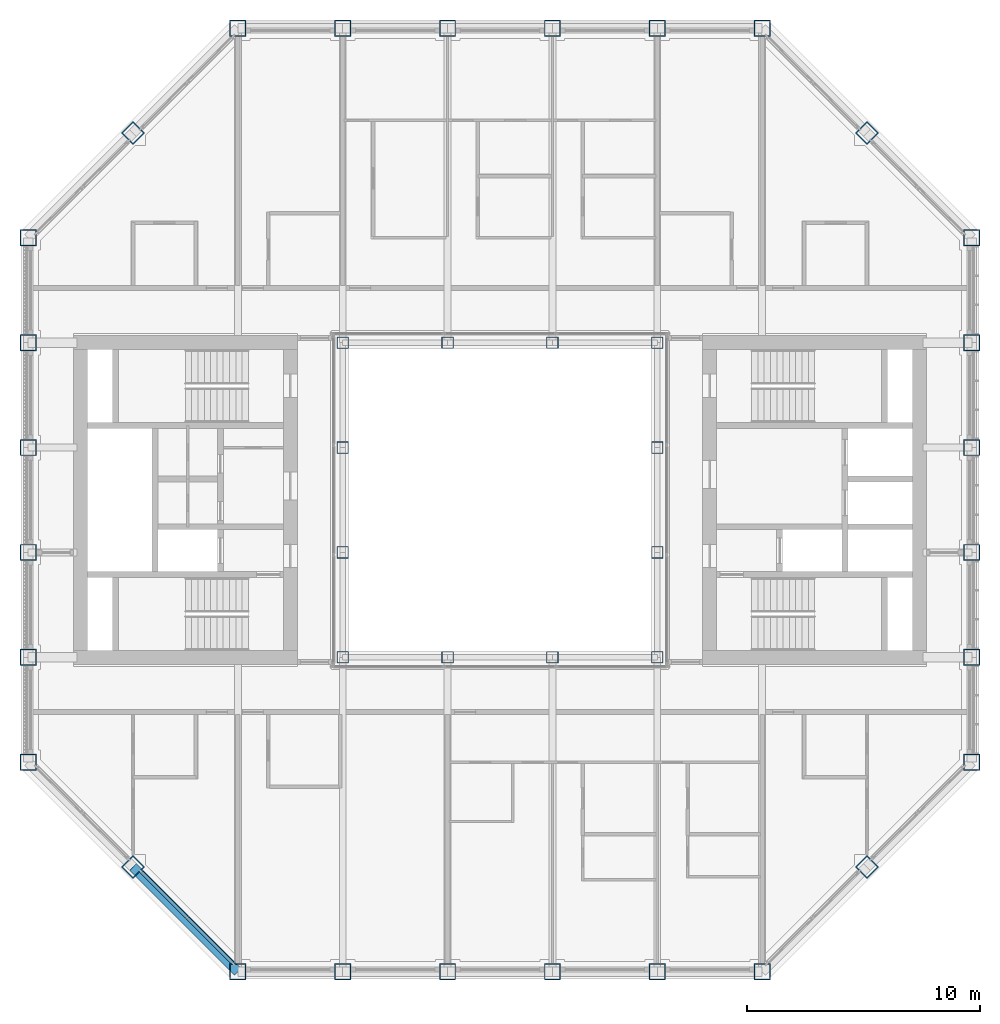
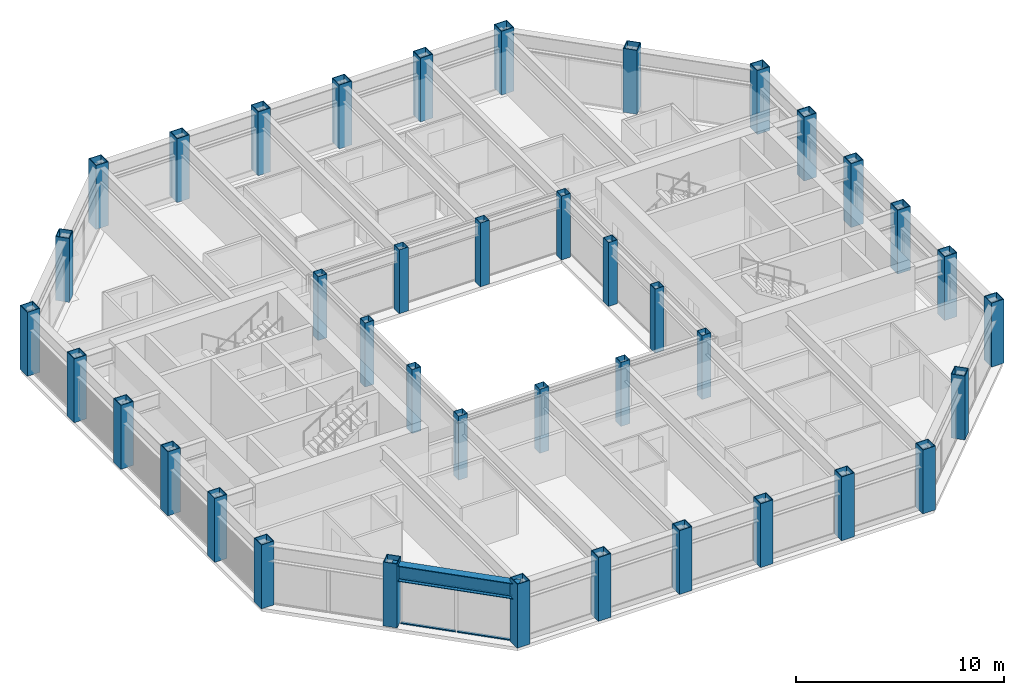
# One storey, part 1 of 17: 40 columns, 4 members, 1 beam, 1 element without a shape of its own.
"""IFC4 building model written with IfcOpenShell, lengths in metres."""

from ifc_helpers import new_model, si_unit, direction, frame, origin, origin_2d, place, context, subcontext, project, spatial, rectangle, hollow_rectangle, i_section, extrude, material, material_profile, profile_set, type_object, element, aggregate, save


model = new_model("IFC4")

# Units and contexts
model_context = context("Model", 3, precision=1e-05, world=origin(), true_north=direction((0.0, 1.0)))
body_context = subcontext(model_context, "Body", "Model", "MODEL_VIEW")
ifc_project = project(units=[si_unit("LENGTHUNIT", "METRE"), si_unit("AREAUNIT", "SQUARE_METRE"), si_unit("VOLUMEUNIT", "CUBIC_METRE"), si_unit("PLANEANGLEUNIT", "RADIAN"), si_unit("MASSUNIT", "GRAM", prefix="KILO")], contexts=[model_context])

# Site, building, storey
site_placement = place(None, origin())
site = spatial("IfcSite", under=ifc_project, at=site_placement, CompositionType="ELEMENT")
building_placement = place(site_placement, origin())
building = spatial("IfcBuilding", under=site, at=building_placement, Name="Msasa Ring Tower", CompositionType="ELEMENT")
storey_placement = place(building_placement, frame((0.0, 0.0, 238.300048828125)))
storey = spatial("IfcBuildingStorey", under=building, at=storey_placement, Name="L62", CompositionType="ELEMENT", Elevation=238.300048828125)

# Columns
ifc_material_1 = material(Name="Steel S355", Category="steel")
ifc_material_profile_1 = material_profile(ifc_material_1, hollow_rectangle(XDim=0.5, YDim=0.5, WallThickness=0.02490234375, at=origin_2d()), Name="BOX 500x500x25")
ifc_profile_set_1 = profile_set([ifc_material_profile_1], Name="Steel S355")
column_type_1 = type_object("IfcColumnType", Name="IC7 BOX 500x500x25", PredefinedType="COLUMN", material=ifc_profile_set_1)
for number, where, z_axis, x_axis, name in (
    (1, (-6.75, -6.75, 0.0), (0.0, 0.0, 1.0), (1.0, 0.0, 0.0), "Inner ring column IR-6.75-6.75 L62"),
    (2, (-6.75, -2.25, 0.0), (0.0, 0.0, 1.0), (1.0, 0.0, 0.0), "Inner ring column IR-6.75-2.25 L62"),
    (3, (-6.75, 2.25, 0.0), (0.0, 0.0, 1.0), (1.0, 0.0, 0.0), "Inner ring column IR-6.75+2.25 L62"),
    (4, (-6.75, 6.75, 0.0), (0.0, 0.0, 1.0), (1.0, 0.0, 0.0), "Inner ring column IR-6.75+6.75 L62"),
    (5, (-2.25, -6.75, 0.0), (0.0, 0.0, 1.0), (1.0, 0.0, 0.0), "Inner ring column IR-2.25-6.75 L62"),
    (6, (-2.25, 6.75, 0.0), (0.0, 0.0, 1.0), (1.0, 0.0, 0.0), "Inner ring column IR-2.25+6.75 L62"),
    (7, (2.25, -6.75, 0.0), (0.0, 0.0, 1.0), (1.0, 0.0, 0.0), "Inner ring column IR+2.25-6.75 L62"),
    (8, (2.25, 6.75, 0.0), (0.0, 0.0, 1.0), (1.0, 0.0, 0.0), "Inner ring column IR+2.25+6.75 L62"),
    (9, (6.75, -6.75, 0.0), (0.0, 0.0, 1.0), (1.0, 0.0, 0.0), "Inner ring column IR+6.75-6.75 L62"),
    (10, (6.75, -2.25, 0.0), (0.0, 0.0, 1.0), (1.0, 0.0, 0.0), "Inner ring column IR+6.75-2.25 L62"),
    (11, (6.75, 2.25, 0.0), (0.0, 0.0, 1.0), (1.0, 0.0, 0.0), "Inner ring column IR+6.75+2.25 L62"),
    (12, (6.75, 6.75, 0.0), (0.0, 0.0, 1.0), (1.0, 0.0, 0.0), "Inner ring column IR+6.75+6.75 L62"),
):
    element("IfcColumn", number, at=place(storey_placement, frame(where, z_axis=z_axis, x_axis=x_axis)), inside=storey, type_object=column_type_1, Name=name, PredefinedType="COLUMN", context=body_context, shape_type="SweptSolid", body=[
        extrude(hollow_rectangle(XDim=0.5, YDim=0.5, WallThickness=0.02490234375, at=origin_2d()), origin(), (0.0, 0.0, 1.0), 3.75),
    ])
ifc_material_2 = material(Name="Steel S355", Category="steel")
ifc_material_profile_2 = material_profile(ifc_material_2, hollow_rectangle(XDim=0.699951171875, YDim=0.699951171875, WallThickness=0.0400390625, at=origin_2d()), Name="BOX 700x700x40")
ifc_profile_set_2 = profile_set([ifc_material_profile_2], Name="Steel S355")
column_type_2 = type_object("IfcColumnType", Name="TC7 BOX 700x700x40", PredefinedType="COLUMN", material=ifc_profile_set_2)
for number, where, z_axis, x_axis, name in (
    (13, (-11.25, -20.25, 0.0), (0.0, 0.0, 1.0), (0.0, 1.0, 0.0), "Tube column S-11.25 L62"),
    (14, (-11.25, 20.25, 0.0), (0.0, 0.0, 1.0), (0.0, 1.0, 0.0), "Tube column N-11.25 L62"),
    (15, (20.25, -11.25, 0.0), (0.0, 0.0, 1.0), (1.0, 0.0, 0.0), "Tube column E-11.25 L62"),
    (16, (-20.25, -11.25, 0.0), (0.0, 0.0, 1.0), (1.0, 0.0, 0.0), "Tube column W-11.25 L62"),
    (17, (-6.75, -20.25, 0.0), (0.0, 0.0, 1.0), (0.0, 1.0, 0.0), "Tube column S-6.75 L62"),
    (18, (-6.75, 20.25, 0.0), (0.0, 0.0, 1.0), (0.0, 1.0, 0.0), "Tube column N-6.75 L62"),
    (19, (20.25, -6.75, 0.0), (0.0, 0.0, 1.0), (1.0, 0.0, 0.0), "Tube column E-6.75 L62"),
    (20, (-20.25, -6.75, 0.0), (0.0, 0.0, 1.0), (1.0, 0.0, 0.0), "Tube column W-6.75 L62"),
    (21, (-2.25, -20.25, 0.0), (0.0, 0.0, 1.0), (0.0, 1.0, 0.0), "Tube column S-2.25 L62"),
    (22, (-2.25, 20.25, 0.0), (0.0, 0.0, 1.0), (0.0, 1.0, 0.0), "Tube column N-2.25 L62"),
    (23, (20.25, -2.25, 0.0), (0.0, 0.0, 1.0), (1.0, 0.0, 0.0), "Tube column E-2.25 L62"),
    (24, (-20.25, -2.25, 0.0), (0.0, 0.0, 1.0), (1.0, 0.0, 0.0), "Tube column W-2.25 L62"),
    (25, (2.25, -20.25, 0.0), (0.0, 0.0, 1.0), (0.0, 1.0, 0.0), "Tube column S+2.25 L62"),
    (26, (2.25, 20.25, 0.0), (0.0, 0.0, 1.0), (0.0, 1.0, 0.0), "Tube column N+2.25 L62"),
    (27, (20.25, 2.25, 0.0), (0.0, 0.0, 1.0), (1.0, 0.0, 0.0), "Tube column E+2.25 L62"),
    (28, (-20.25, 2.25, 0.0), (0.0, 0.0, 1.0), (1.0, 0.0, 0.0), "Tube column W+2.25 L62"),
    (29, (6.75, -20.25, 0.0), (0.0, 0.0, 1.0), (0.0, 1.0, 0.0), "Tube column S+6.75 L62"),
    (30, (6.75, 20.25, 0.0), (0.0, 0.0, 1.0), (0.0, 1.0, 0.0), "Tube column N+6.75 L62"),
    (31, (20.25, 6.75, 0.0), (0.0, 0.0, 1.0), (1.0, 0.0, 0.0), "Tube column E+6.75 L62"),
    (32, (-20.25, 6.75, 0.0), (0.0, 0.0, 1.0), (1.0, 0.0, 0.0), "Tube column W+6.75 L62"),
    (33, (11.25, -20.25, 0.0), (0.0, 0.0, 1.0), (0.0, 1.0, 0.0), "Tube column S+11.25 L62"),
    (34, (11.25, 20.25, 0.0), (0.0, 0.0, 1.0), (0.0, 1.0, 0.0), "Tube column N+11.25 L62"),
    (35, (20.25, 11.25, 0.0), (0.0, 0.0, 1.0), (1.0, 0.0, 0.0), "Tube column E+11.25 L62"),
    (36, (-20.25, 11.25, 0.0), (0.0, 0.0, 1.0), (1.0, 0.0, 0.0), "Tube column W+11.25 L62"),
    (37, (15.75, -15.75, 0.0), (0.0, 0.0, 1.0), (0.707106781187, -0.707106781187, 0.0), "Tube column SE L62"),
    (38, (15.75, 15.75, 0.0), (0.0, 0.0, 1.0), (0.707106781187, 0.707106781187, 0.0), "Tube column NE L62"),
    (39, (-15.75, 15.75, 0.0), (0.0, 0.0, 1.0), (0.707106781187, -0.707106781187, 0.0), "Tube column NW L62"),
    (40, (-15.75, -15.75, 0.0), (0.0, 0.0, 1.0), (0.707106781187, 0.707106781187, 0.0), "Tube column SW L62"),
):
    element("IfcColumn", number, at=place(storey_placement, frame(where, z_axis=z_axis, x_axis=x_axis)), inside=storey, type_object=column_type_2, Name=name, PredefinedType="COLUMN", context=body_context, shape_type="SweptSolid", body=[
        extrude(hollow_rectangle(XDim=0.699951171875, YDim=0.699951171875, WallThickness=0.0400390625, at=origin_2d()), origin(), (0.0, 0.0, 1.0), 3.75),
    ])

# Curtain wall, members
ifc_material_3 = material(Name="Aluminium curtain wall with clear glass", Category="aluminium")
curtain_wall_type = type_object("IfcCurtainWallType", Name="CW-C CHAMFER CORNER CURTAIN WALL", PredefinedType="NOTDEFINED", material=ifc_material_3)
curtain_wall_placement = place(storey_placement, origin())
curtain_wall = element("IfcCurtainWall", 41, at=curtain_wall_placement, inside=storey, type_object=curtain_wall_type, Name="Chamfer corner curtain wall SW L62", PredefinedType="NOTDEFINED")
ifc_material_4 = material(Name="Aluminium transom", Category="aluminium")
ifc_material_profile_3 = material_profile(ifc_material_4, rectangle(XDim=0.139892578125, YDim=0.06494140625, at=origin_2d()), Name="AL 65x140")
ifc_profile_set_3 = profile_set([ifc_material_profile_3], Name="Aluminium transom")
member_type = type_object("IfcMemberType", Name="CW-C TRANSOM 65x140", PredefinedType="USERDEFINED", material=ifc_profile_set_3)
member_1_placement = place(storey_placement, frame((-15.38232421875, -15.976318359375, 0.032470703125), z_axis=(0.707106781187, -0.707106781187, 0.0), x_axis=(0.707106781187, 0.707106781187, 0.0)))
member_1 = element("IfcMember", 42, at=member_1_placement, type_object=member_type, Name="CW-C transom 1.1", ObjectType="TRANSOM", PredefinedType="USERDEFINED", context=body_context, shape_type="SweptSolid", body=[
    extrude(rectangle(XDim=0.139892578125, YDim=0.06494140625, at=origin_2d()), origin(), (0.0, 0.0, 1.0), 2.729248046875),
])
member_2_placement = place(storey_placement, frame((-15.38232421875, -15.976318359375, 2.596435546875), z_axis=(0.707106781187, -0.707106781187, 0.0), x_axis=(0.707106781187, 0.707106781187, 0.0)))
member_2 = element("IfcMember", 43, at=member_2_placement, type_object=member_type, Name="CW-C transom 1.2", ObjectType="TRANSOM", PredefinedType="USERDEFINED", context=body_context, shape_type="SweptSolid", body=[
    extrude(rectangle(XDim=0.139892578125, YDim=0.06494140625, at=origin_2d()), origin(), (0.0, 0.0, 1.0), 2.729248046875),
])
member_3_placement = place(storey_placement, frame((-13.40625, -17.952392578125, 0.032470703125), z_axis=(0.707106781187, -0.707106781187, 0.0), x_axis=(0.707106781187, 0.707106781187, 0.0)))
member_3 = element("IfcMember", 44, at=member_3_placement, type_object=member_type, Name="CW-C transom 2.1", ObjectType="TRANSOM", PredefinedType="USERDEFINED", context=body_context, shape_type="SweptSolid", body=[
    extrude(rectangle(XDim=0.139892578125, YDim=0.06494140625, at=origin_2d()), origin(), (0.0, 0.0, 1.0), 2.729248046875),
])
member_4_placement = place(storey_placement, frame((-13.40625, -17.952392578125, 2.596435546875), z_axis=(0.707106781187, -0.707106781187, 0.0), x_axis=(0.707106781187, 0.707106781187, 0.0)))
member_4 = element("IfcMember", 45, at=member_4_placement, type_object=member_type, Name="CW-C transom 2.2", ObjectType="TRANSOM", PredefinedType="USERDEFINED", context=body_context, shape_type="SweptSolid", body=[
    extrude(rectangle(XDim=0.139892578125, YDim=0.06494140625, at=origin_2d()), origin(), (0.0, 0.0, 1.0), 2.729248046875),
])
aggregate(curtain_wall, [member_1, member_2, member_3, member_4])

# Beam
ifc_material_5 = material(Name="Steel S355", Category="steel")
ifc_material_profile_4 = material_profile(ifc_material_5, i_section(OverallWidth=0.42041015625, OverallDepth=0.9208984375, WebThickness=0.021484375, FlangeThickness=0.03662109375, FilletRadius=0.024169921875, at=origin_2d()), Name="UB 914x419x388")
ifc_profile_set_4 = profile_set([ifc_material_profile_4], Name="Steel S355")
beam_type = type_object("IfcBeamType", Name="SB1 UB 914x419x388", PredefinedType="SPANDREL", material=ifc_profile_set_4)
beam_placement = place(storey_placement, frame((-15.75, -15.75, 3.08935546875), z_axis=(0.707106781187, -0.707106781187, 0.0), x_axis=(0.707106781187, 0.707106781187, 0.0)))
element("IfcBeam", 46, at=beam_placement, inside=storey, type_object=beam_type, Name="Spandrel SW to S-11.25 under L63", PredefinedType="SPANDREL", context=body_context, shape_type="SweptSolid", body=[
    extrude(i_section(OverallWidth=0.42041015625, OverallDepth=0.9208984375, WebThickness=0.021484375, FlangeThickness=0.03662109375, FilletRadius=0.024169921875, at=origin_2d()), origin(), (0.0, 0.0, 1.0), 6.364013671875),
])

save(model, "model.ifc")
